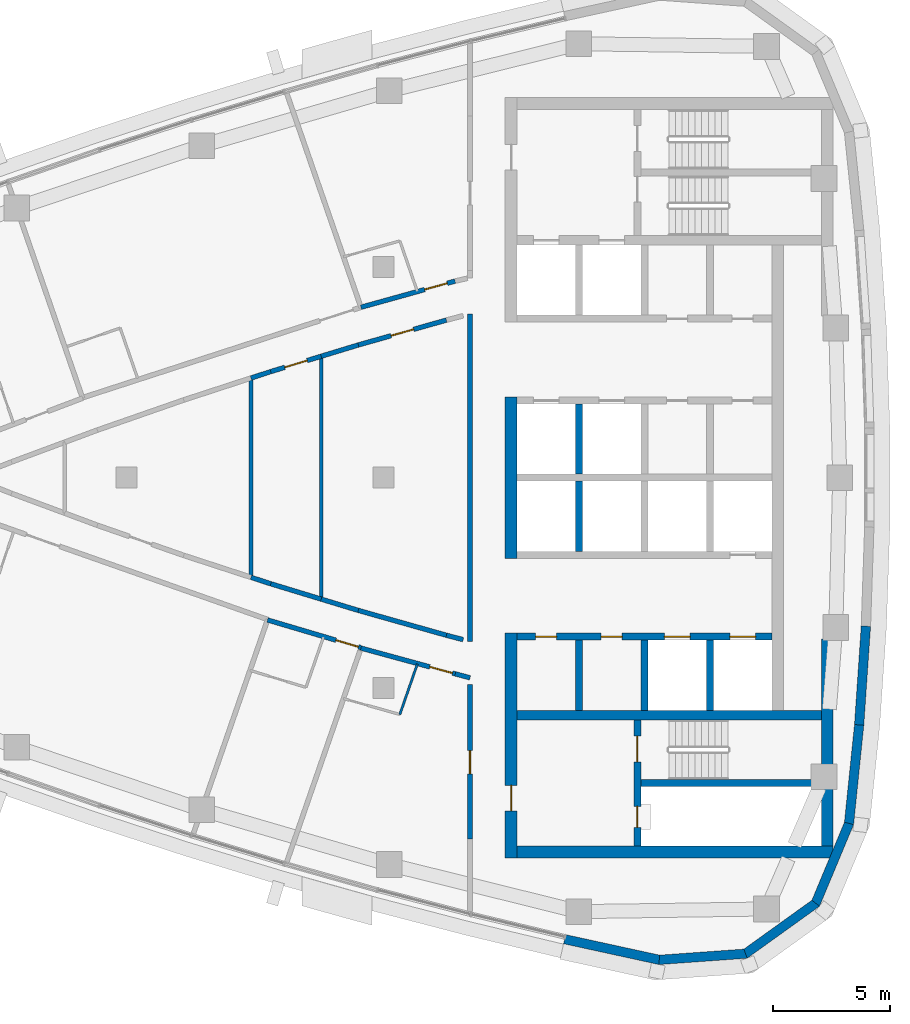
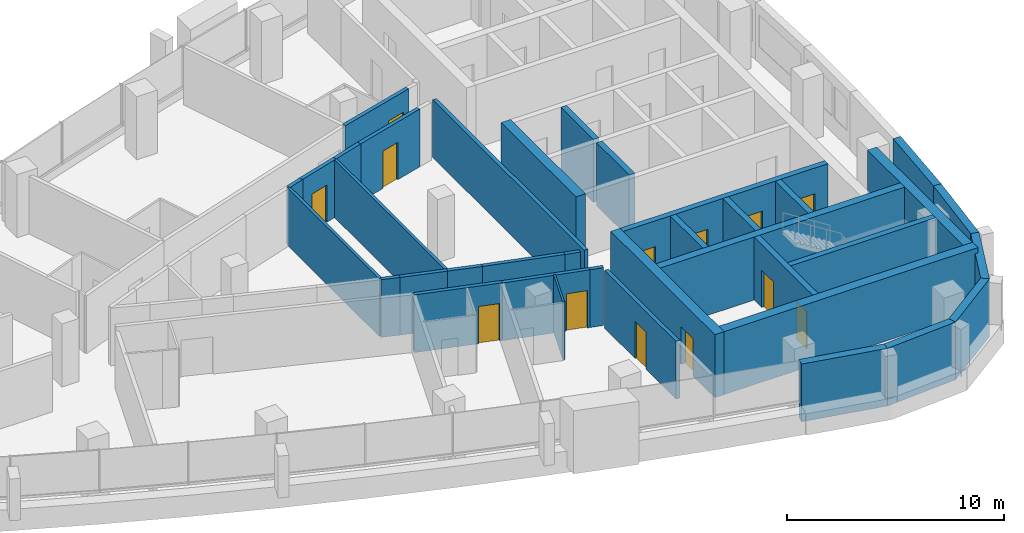
# One storey, part 8 of 14: 37 walls, 13 doors, 13 openings.
"""IFC4 building model written with IfcOpenShell, lengths in metres."""

from ifc_helpers import new_model, si_unit, direction, frame, frame_2d, origin, place, context, subcontext, project, spatial, polyline, rectangle, outline, extrude, material, layer, layer_set, type_object, element, fill, save


model = new_model("IFC4")

# Units and contexts
model_context = context("Model", 3, precision=1e-05, world=origin(), true_north=direction((0.0, 1.0)))
body_context = subcontext(model_context, "Body", "Model", "MODEL_VIEW")
ifc_project = project(units=[si_unit("LENGTHUNIT", "METRE"), si_unit("AREAUNIT", "SQUARE_METRE"), si_unit("VOLUMEUNIT", "CUBIC_METRE"), si_unit("PLANEANGLEUNIT", "RADIAN"), si_unit("MASSUNIT", "GRAM", prefix="KILO")], contexts=[model_context])

# Site, building, storey
site_placement = place(None, origin())
site = spatial("IfcSite", under=ifc_project, at=site_placement, CompositionType="ELEMENT")
building_placement = place(site_placement, origin())
building = spatial("IfcBuilding", under=site, at=building_placement, Name="Ostrand Prow Hotel Tower", CompositionType="ELEMENT")
storey_placement = place(building_placement, frame((0.0, 0.0, 271.449951171875)))
storey = spatial("IfcBuildingStorey", under=building, at=storey_placement, Name="L68", CompositionType="ELEMENT", Elevation=271.449951171875)

# Wall
ifc_material_1 = material(Name="Concrete C50/60", Category="concrete")
ifc_layer_1 = layer(ifc_material_1, 0.300048828125)
ifc_layer_set_1 = layer_set([ifc_layer_1], Name="Concrete C50/60")
wall_type_1 = type_object("IfcWallType", Name="Core wall 300 C50/60", PredefinedType="SHEAR", material=ifc_layer_set_1)
wall_1_placement = place(storey_placement, frame((53.35009765625, 0.14990234375, 0.0), z_axis=(0.0, 0.0, 1.0), x_axis=(0.0, 1.0, 0.0)))
element("IfcWall", 1, at=wall_1_placement, inside=storey, type_object=wall_type_1, Name="Core wall PW-R1-NB", PredefinedType="SHEAR", context=body_context, shape_type="SweptSolid", body=[
    extrude(rectangle(XDim=3.0, YDim=0.300048828125, at=frame_2d((1.5, 0.0))), origin(), (0.0, 0.0, 1.0), 3.550048828125),
])

# Wall, openings, doors
wall_2_placement = place(storey_placement, frame((50.699951171875, -6.800048828125, 0.0), z_axis=(0.0, 0.0, 1.0), x_axis=(1.0, 0.0, 0.0)))
wall_2 = element("IfcWall", 2, at=wall_2_placement, inside=storey, type_object=wall_type_1, Name="Core wall PW-L2-S", PredefinedType="SHEAR", context=body_context, shape_type="SweptSolid", body=[
    extrude(rectangle(XDim=10.900146484375, YDim=0.300048828125, at=frame_2d((5.4501953125, 0.0))), origin(), (0.0, 0.0, 1.0), 3.550048828125),
])
opening_1_placement = place(wall_2_placement, frame((6.300048828125, 0.0, 0.0)))
opening_1 = element("IfcOpeningElement", 3, at=opening_1_placement, cuts=wall_2, Name="Opening LD", PredefinedType="OPENING", context=body_context, shape_type="SweptSolid", body=[
    extrude(rectangle(XDim=1.10009765625, YDim=2.10009765625, at=frame_2d((0.550048828125, 1.050048828125))), frame((0.0, 0.159912109375, 0.0), z_axis=(0.0, -1.0, 0.0), x_axis=(1.0, 0.0, 0.0)), (0.0, 0.0, 1.0), 0.320068359375),
])
opening_2_placement = place(wall_2_placement, frame((9.10009765625, 0.0, 0.0)))
opening_2 = element("IfcOpeningElement", 4, at=opening_2_placement, cuts=wall_2, Name="Opening LD", PredefinedType="OPENING", context=body_context, shape_type="SweptSolid", body=[
    extrude(rectangle(XDim=1.10009765625, YDim=2.10009765625, at=frame_2d((0.550048828125, 1.050048828125))), frame((0.0, 0.159912109375, 0.0), z_axis=(0.0, -1.0, 0.0), x_axis=(1.0, 0.0, 0.0)), (0.0, 0.0, 1.0), 0.320068359375),
])
opening_3_placement = place(wall_2_placement, frame((0.800048828125, 0.0, 0.0)))
opening_3 = element("IfcOpeningElement", 5, at=opening_3_placement, cuts=wall_2, Name="Opening FD2", PredefinedType="OPENING", context=body_context, shape_type="SweptSolid", body=[
    extrude(rectangle(XDim=0.89990234375, YDim=2.10009765625, at=frame_2d((0.449951171875, 1.050048828125))), frame((0.0, 0.159912109375, 0.0), z_axis=(0.0, -1.0, 0.0), x_axis=(1.0, 0.0, 0.0)), (0.0, 0.0, 1.0), 0.320068359375),
])
opening_4_placement = place(wall_2_placement, frame((3.60009765625, 0.0, 0.0)))
opening_4 = element("IfcOpeningElement", 6, at=opening_4_placement, cuts=wall_2, Name="Opening FD2", PredefinedType="OPENING", context=body_context, shape_type="SweptSolid", body=[
    extrude(rectangle(XDim=0.89990234375, YDim=2.10009765625, at=frame_2d((0.449951171875, 1.050048828125))), frame((0.0, 0.159912109375, 0.0), z_axis=(0.0, -1.0, 0.0), x_axis=(1.0, 0.0, 0.0)), (0.0, 0.0, 1.0), 0.320068359375),
])
ifc_material_2 = material(Name="Steel fire door", Category="steel")
door_type_1 = type_object("IfcDoorType", Name="Fire door 900 EI120", OperationType="SINGLE_SWING_LEFT", PredefinedType="DOOR", material=ifc_material_2)
door_1_placement = place(opening_3_placement, origin())
door_1 = element("IfcDoor", 7, at=door_1_placement, inside=storey, type_object=door_type_1, Name="DOOR", OperationType="SINGLE_SWING_LEFT", OverallHeight=2.10009765625, OverallWidth=0.89990234375, PredefinedType="DOOR", context=body_context, shape_type="SweptSolid", body=[
    extrude(rectangle(XDim=0.89990234375, YDim=2.10009765625, at=frame_2d((0.449951171875, 1.050048828125))), frame((0.0, 0.02490234375, 0.0), z_axis=(0.0, -1.0, 0.0), x_axis=(1.0, 0.0, 0.0)), (0.0, 0.0, 1.0), 0.050048828125),
])
fill(opening_3, door_1)
door_2_placement = place(opening_4_placement, origin())
door_2 = element("IfcDoor", 8, at=door_2_placement, inside=storey, type_object=door_type_1, Name="DOOR", OperationType="SINGLE_SWING_LEFT", OverallHeight=2.10009765625, OverallWidth=0.89990234375, PredefinedType="DOOR", context=body_context, shape_type="SweptSolid", body=[
    extrude(rectangle(XDim=0.89990234375, YDim=2.10009765625, at=frame_2d((0.449951171875, 1.050048828125))), frame((0.0, 0.02490234375, 0.0), z_axis=(0.0, -1.0, 0.0), x_axis=(1.0, 0.0, 0.0)), (0.0, 0.0, 1.0), 0.050048828125),
])
fill(opening_4, door_2)
ifc_material_3 = material(Name="Stainless steel door", Category="steel")
door_type_2 = type_object("IfcDoorType", Name="Lift landing door 1100", OperationType="DOUBLE_DOOR_SLIDING", PredefinedType="DOOR", material=ifc_material_3)
door_3_placement = place(opening_1_placement, origin())
door_3 = element("IfcDoor", 9, at=door_3_placement, inside=storey, type_object=door_type_2, Name="LIFT LANDING DOOR", OperationType="DOUBLE_DOOR_SLIDING", OverallHeight=2.10009765625, OverallWidth=1.10009765625, PredefinedType="DOOR", context=body_context, shape_type="SweptSolid", body=[
    extrude(rectangle(XDim=1.10009765625, YDim=2.10009765625, at=frame_2d((0.550048828125, 1.050048828125))), frame((0.0, 0.02490234375, 0.0), z_axis=(0.0, -1.0, 0.0), x_axis=(1.0, 0.0, 0.0)), (0.0, 0.0, 1.0), 0.050048828125),
])
fill(opening_1, door_3)
door_4_placement = place(opening_2_placement, origin())
door_4 = element("IfcDoor", 10, at=door_4_placement, inside=storey, type_object=door_type_2, Name="LIFT LANDING DOOR", OperationType="DOUBLE_DOOR_SLIDING", OverallHeight=2.10009765625, OverallWidth=1.10009765625, PredefinedType="DOOR", context=body_context, shape_type="SweptSolid", body=[
    extrude(rectangle(XDim=1.10009765625, YDim=2.10009765625, at=frame_2d((0.550048828125, 1.050048828125))), frame((0.0, 0.02490234375, 0.0), z_axis=(0.0, -1.0, 0.0), x_axis=(1.0, 0.0, 0.0)), (0.0, 0.0, 1.0), 0.050048828125),
])
fill(opening_2, door_4)

# Walls
for number, where, z_axis, x_axis, name in (
    (11, (53.35009765625, -3.14990234375, 0.0), (0.0, 0.0, 1.0), (0.0, 1.0, 0.0), "Core wall PW-R1-SB"),
    (12, (53.35009765625, -9.949951171875, 0.0), (0.0, 0.0, 1.0), (0.0, 1.0, 0.0), "Core wall PW-R1-SA"),
    (13, (56.14990234375, -9.949951171875, 0.0), (0.0, 0.0, 1.0), (0.0, 1.0, 0.0), "Core wall PW-R2-SA"),
    (14, (58.949951171875, -9.949951171875, 0.0), (0.0, 0.0, 1.0), (0.0, 1.0, 0.0), "Core wall PW-R3-SA"),
):
    element("IfcWall", number, at=place(storey_placement, frame(where, z_axis=z_axis, x_axis=x_axis)), inside=storey, type_object=wall_type_1, Name=name, PredefinedType="SHEAR", context=body_context, shape_type="SweptSolid", body=[
        extrude(rectangle(XDim=3.0, YDim=0.300048828125, at=frame_2d((1.5, 0.0))), origin(), (0.0, 0.0, 1.0), 3.550048828125),
    ])

# Wall, openings, doors
wall_3_placement = place(storey_placement, frame((55.85009765625, -15.75, 0.0), z_axis=(0.0, 0.0, 1.0), x_axis=(0.0, 1.0, 0.0)))
wall_3 = element("IfcWall", 15, at=wall_3_placement, inside=storey, type_object=wall_type_1, Name="Core wall PW-VS", PredefinedType="SHEAR", context=body_context, shape_type="SweptSolid", body=[
    extrude(rectangle(XDim=5.39990234375, YDim=0.300048828125, at=frame_2d((2.699951171875, 0.0))), origin(), (0.0, 0.0, 1.0), 3.550048828125),
])
opening_5_placement = place(wall_3_placement, frame((3.60009765625, 0.0, 0.0)))
opening_5 = element("IfcOpeningElement", 16, at=opening_5_placement, cuts=wall_3, Name="Opening FD1", PredefinedType="OPENING", context=body_context, shape_type="SweptSolid", body=[
    extrude(rectangle(XDim=1.10009765625, YDim=2.10009765625, at=frame_2d((0.550048828125, 1.050048828125))), frame((0.0, 0.159912109375, 0.0), z_axis=(0.0, -1.0, 0.0), x_axis=(1.0, 0.0, 0.0)), (0.0, 0.0, 1.0), 0.320068359375),
])
opening_6_placement = place(wall_3_placement, frame((0.800048828125, 0.0, 0.0)))
opening_6 = element("IfcOpeningElement", 17, at=opening_6_placement, cuts=wall_3, Name="Opening FD2", PredefinedType="OPENING", context=body_context, shape_type="SweptSolid", body=[
    extrude(rectangle(XDim=0.89990234375, YDim=2.10009765625, at=frame_2d((0.449951171875, 1.050048828125))), frame((0.0, 0.159912109375, 0.0), z_axis=(0.0, -1.0, 0.0), x_axis=(1.0, 0.0, 0.0)), (0.0, 0.0, 1.0), 0.320068359375),
])
ifc_material_4 = material(Name="Steel fire door", Category="steel")
door_type_3 = type_object("IfcDoorType", Name="Fire door 1100 EI120", OperationType="SINGLE_SWING_RIGHT", PredefinedType="DOOR", material=ifc_material_4)
door_5_placement = place(opening_5_placement, origin())
door_5 = element("IfcDoor", 18, at=door_5_placement, inside=storey, type_object=door_type_3, Name="FIRE DOOR", OperationType="SINGLE_SWING_RIGHT", OverallHeight=2.10009765625, OverallWidth=1.10009765625, PredefinedType="DOOR", context=body_context, shape_type="SweptSolid", body=[
    extrude(rectangle(XDim=1.10009765625, YDim=2.10009765625, at=frame_2d((0.550048828125, 1.050048828125))), frame((0.0, 0.02490234375, 0.0), z_axis=(0.0, -1.0, 0.0), x_axis=(1.0, 0.0, 0.0)), (0.0, 0.0, 1.0), 0.050048828125),
])
fill(opening_5, door_5)
door_6_placement = place(opening_6_placement, origin())
door_6 = element("IfcDoor", 19, at=door_6_placement, inside=storey, type_object=door_type_1, Name="FIRE DOOR", OperationType="SINGLE_SWING_LEFT", OverallHeight=2.10009765625, OverallWidth=0.89990234375, PredefinedType="DOOR", context=body_context, shape_type="SweptSolid", body=[
    extrude(rectangle(XDim=0.89990234375, YDim=2.10009765625, at=frame_2d((0.449951171875, 1.050048828125))), frame((0.0, 0.02490234375, 0.0), z_axis=(0.0, -1.0, 0.0), x_axis=(1.0, 0.0, 0.0)), (0.0, 0.0, 1.0), 0.050048828125),
])
fill(opening_6, door_6)

# Walls
wall_4_placement = place(storey_placement, frame((56.0, -13.050048828125, 0.0), z_axis=(0.0, 0.0, 1.0), x_axis=(1.0, 0.0, 0.0)))
element("IfcWall", 20, at=wall_4_placement, inside=storey, type_object=wall_type_1, Name="Core wall PW-ST2R", PredefinedType="SHEAR", context=body_context, shape_type="SweptSolid", body=[
    extrude(rectangle(XDim=7.719970703125, YDim=0.300048828125, at=frame_2d((3.85986328125, 0.0))), origin(), (0.0, 0.0, 1.0), 3.550048828125),
])
ifc_material_5 = material(Name="Concrete C50/60", Category="concrete")
ifc_layer_2 = layer(ifc_material_5, 0.39990234375)
ifc_layer_set_2 = layer_set([ifc_layer_2], Name="Concrete C50/60")
wall_type_2 = type_object("IfcWallType", Name="Core wall 400 C50/60", PredefinedType="SHEAR", material=ifc_layer_set_2)
wall_5_placement = place(storey_placement, frame((50.699951171875, -10.14990234375, 0.0), z_axis=(0.0, 0.0, 1.0), x_axis=(1.0, 0.0, 0.0)))
element("IfcWall", 21, at=wall_5_placement, inside=storey, type_object=wall_type_2, Name="Core wall PW-BS", PredefinedType="SHEAR", context=body_context, shape_type="SweptSolid", body=[
    extrude(rectangle(XDim=13.02001953125, YDim=0.39990234375, at=frame_2d((6.510009765625, 0.0))), origin(), (0.0, 0.0, 1.0), 3.550048828125),
])
ifc_material_6 = material(Name="Concrete C50/60", Category="concrete")
ifc_layer_3 = layer(ifc_material_6, 0.5)
ifc_layer_set_3 = layer_set([ifc_layer_3], Name="Concrete C50/60")
wall_type_3 = type_object("IfcWallType", Name="Core wall 500 C50/60", PredefinedType="SHEAR", material=ifc_layer_set_3)
wall_6_placement = place(storey_placement, frame((50.449951171875, -3.449951171875, 0.0), z_axis=(0.0, 0.0, 1.0), x_axis=(0.0, 1.0, 0.0)))
element("IfcWall", 22, at=wall_6_placement, inside=storey, type_object=wall_type_3, Name="Core wall CW-W-C", PredefinedType="SHEAR", context=body_context, shape_type="SweptSolid", body=[
    extrude(rectangle(XDim=6.89990234375, YDim=0.5, at=frame_2d((3.449951171875, 0.0))), origin(), (0.0, 0.0, 1.0), 3.550048828125),
])

# Wall, opening, door
wall_7_placement = place(storey_placement, frame((50.449951171875, -16.25, 0.0), z_axis=(0.0, 0.0, 1.0), x_axis=(0.0, 1.0, 0.0)))
wall_7 = element("IfcWall", 23, at=wall_7_placement, inside=storey, type_object=wall_type_3, Name="Core wall CW-W-S", PredefinedType="SHEAR", context=body_context, shape_type="SweptSolid", body=[
    extrude(rectangle(XDim=9.60009765625, YDim=0.5, at=frame_2d((4.800048828125, 0.0))), origin(), (0.0, 0.0, 1.0), 3.550048828125),
])
opening_7_placement = place(wall_7_placement, frame((2.0, 0.0, 0.0)))
opening_7 = element("IfcOpeningElement", 24, at=opening_7_placement, cuts=wall_7, Name="Opening FD1", PredefinedType="OPENING", context=body_context, shape_type="SweptSolid", body=[
    extrude(rectangle(XDim=1.10009765625, YDim=2.10009765625, at=frame_2d((0.550048828125, 1.050048828125))), frame((0.0, 0.260009765625, 0.0), z_axis=(0.0, -1.0, 0.0), x_axis=(1.0, 0.0, 0.0)), (0.0, 0.0, 1.0), 0.52001953125),
])
door_7_placement = place(opening_7_placement, origin())
door_7 = element("IfcDoor", 25, at=door_7_placement, inside=storey, type_object=door_type_3, Name="FIRE DOOR", OperationType="SINGLE_SWING_RIGHT", OverallHeight=2.10009765625, OverallWidth=1.10009765625, PredefinedType="DOOR", context=body_context, shape_type="SweptSolid", body=[
    extrude(rectangle(XDim=1.10009765625, YDim=2.10009765625, at=frame_2d((0.550048828125, 1.050048828125))), frame((0.0, 0.02490234375, 0.0), z_axis=(0.0, -1.0, 0.0), x_axis=(1.0, 0.0, 0.0)), (0.0, 0.0, 1.0), 0.050048828125),
])
fill(opening_7, door_7)

# Walls
wall_8_placement = place(storey_placement, frame((50.699951171875, -16.0, 0.0), z_axis=(0.0, 0.0, 1.0), x_axis=(1.0, 0.0, 0.0)))
element("IfcWall", 26, at=wall_8_placement, inside=storey, type_object=wall_type_3, Name="Core wall CW-S", PredefinedType="SHEAR", context=body_context, shape_type="SweptSolid", body=[
    extrude(rectangle(XDim=13.52001953125, YDim=0.5, at=frame_2d((6.760009765625, 0.0))), origin(), (0.0, 0.0, 1.0), 3.550048828125),
])
wall_9_placement = place(storey_placement, frame((63.969970703125, -15.75, 0.0), z_axis=(0.0, 0.0, 1.0), x_axis=(0.0, 1.0, 0.0)))
element("IfcWall", 27, at=wall_9_placement, inside=storey, type_object=wall_type_3, Name="Core wall CW-E-S", PredefinedType="SHEAR", context=body_context, shape_type="SweptSolid", body=[
    extrude(rectangle(XDim=8.8466796875, YDim=0.5, at=frame_2d((4.42333984375, 0.0))), origin(), (0.0, 0.0, 1.0), 3.550048828125),
])
ifc_material_7 = material(Name="Plasterboard partition")
ifc_layer_4 = layer(ifc_material_7, 0.10009765625)
ifc_layer_set_4 = layer_set([ifc_layer_4], Name="Plasterboard partition")
wall_type_4 = type_object("IfcWallType", Name="Partition 100 bathroom wall", PredefinedType="PARTITIONING", material=ifc_layer_set_4)
wall_10_placement = place(storey_placement, frame((46.4404296875, -7.968994140625, 0.0), z_axis=(0.0, 0.0, 1.0), x_axis=(-0.327764902685, -0.944759317799, 0.0)))
element("IfcWall", 28, at=wall_10_placement, inside=storey, type_object=wall_type_4, Name="BATHROOM WALL", PredefinedType="PARTITIONING", context=body_context, shape_type="SweptSolid", body=[
    extrude(rectangle(XDim=2.28076171875, YDim=0.10009765625, at=frame_2d((1.140380859375, 0.0))), origin(), (0.0, 0.0, 1.0), 3.25),
])
ifc_material_8 = material(Name="Plasterboard partition")
ifc_layer_5 = layer(ifc_material_8, 0.14990234375)
ifc_layer_set_5 = layer_set([ifc_layer_5], Name="Plasterboard partition")
wall_type_5 = type_object("IfcWallType", Name="Partition 150 room partition", PredefinedType="PARTITIONING", material=ifc_layer_set_5)
wall_11_placement = place(storey_placement, frame((39.32958984375, -4.260498046875, 0.0), z_axis=(0.0, 0.0, 1.0), x_axis=(0.0, 1.0, 0.0)))
element("IfcWall", 29, at=wall_11_placement, inside=storey, type_object=wall_type_5, Name="ROOM PARTITION", PredefinedType="PARTITIONING", context=body_context, shape_type="SweptSolid", body=[
    extrude(rectangle(XDim=8.52099609375, YDim=0.14990234375, at=frame_2d((4.260498046875, 0.0))), origin(), (0.0, 0.0, 1.0), 3.25),
])
wall_12_placement = place(storey_placement, frame((42.32958984375, -5.19140625, 0.0), z_axis=(0.0, 0.0, 1.0), x_axis=(0.0, 1.0, 0.0)))
element("IfcWall", 30, at=wall_12_placement, inside=storey, type_object=wall_type_5, Name="ROOM PARTITION", PredefinedType="PARTITIONING", context=body_context, shape_type="SweptSolid", body=[
    extrude(rectangle(XDim=10.3828125, YDim=0.14990234375, at=frame_2d((5.19140625, 0.0))), origin(), (0.0, 0.0, 1.0), 3.25),
])

# Wall, opening, door
ifc_material_9 = material(Name="Plasterboard partition")
ifc_layer_6 = layer(ifc_material_9, 0.199951171875)
ifc_layer_set_6 = layer_set([ifc_layer_6], Name="Plasterboard partition")
wall_type_6 = type_object("IfcWallType", Name="Partition 200 corridor wall", PredefinedType="PARTITIONING", material=ifc_layer_set_6)
wall_13_placement = place(storey_placement, frame((48.055908203125, 8.4052734375, 0.0), z_axis=(0.0, 0.0, 1.0), x_axis=(-0.963429942227, -0.267960344866, 0.0)))
wall_13 = element("IfcWall", 31, at=wall_13_placement, inside=storey, type_object=wall_type_6, Name="CORRIDOR WALL", PredefinedType="PARTITIONING", context=body_context, shape_type="SweptSolid", body=[
    extrude(rectangle(XDim=4.177490234375, YDim=0.199951171875, at=frame_2d((2.0888671875, 0.0))), origin(), (0.0, 0.0, 1.0), 3.25),
])
opening_8_placement = place(wall_13_placement, frame((0.35009765625, 0.0, 0.0)))
opening_8 = element("IfcOpeningElement", 32, at=opening_8_placement, cuts=wall_13, Name="Opening D1R", PredefinedType="OPENING", context=body_context, shape_type="SweptSolid", body=[
    extrude(rectangle(XDim=1.0, YDim=2.10009765625, at=frame_2d((0.5, 1.050048828125))), frame((0.0, 0.10986328125, 0.0), z_axis=(0.0, -1.0, 0.0), x_axis=(1.0, 0.0, 0.0)), (0.0, 0.0, 1.0), 0.219970703125),
])
ifc_material_10 = material(Name="Timber door leaf", Category="wood")
door_type_4 = type_object("IfcDoorType", Name="Guest room door 1000 right", OperationType="SINGLE_SWING_RIGHT", PredefinedType="DOOR", material=ifc_material_10)
door_8_placement = place(opening_8_placement, origin())
door_8 = element("IfcDoor", 33, at=door_8_placement, inside=storey, type_object=door_type_4, Name="DOOR", OperationType="SINGLE_SWING_RIGHT", OverallHeight=2.10009765625, OverallWidth=1.0, PredefinedType="DOOR", context=body_context, shape_type="SweptSolid", body=[
    extrude(rectangle(XDim=1.0, YDim=2.10009765625, at=frame_2d((0.5, 1.050048828125))), frame((0.0, 0.02490234375, 0.0), z_axis=(0.0, -1.0, 0.0), x_axis=(1.0, 0.0, 0.0)), (0.0, 0.0, 1.0), 0.050048828125),
])
fill(opening_8, door_8)

wall_14_placement = place(storey_placement, frame((40.035400390625, -6.08251953125, 0.0), z_axis=(0.0, 0.0, 1.0), x_axis=(0.958901312153, -0.283739799027, 0.0)))
wall_14 = element("IfcWall", 34, at=wall_14_placement, inside=storey, type_object=wall_type_6, Name="CORRIDOR WALL", PredefinedType="PARTITIONING", context=body_context, shape_type="SweptSolid", body=[
    extrude(rectangle(XDim=4.174072265625, YDim=0.199951171875, at=frame_2d((2.0869140625, 0.0))), origin(), (0.0, 0.0, 1.0), 3.25),
])
opening_9_placement = place(wall_14_placement, frame((3.050048828125, 0.0, 0.0)))
opening_9 = element("IfcOpeningElement", 35, at=opening_9_placement, cuts=wall_14, Name="Opening D1R", PredefinedType="OPENING", context=body_context, shape_type="SweptSolid", body=[
    extrude(rectangle(XDim=1.0, YDim=2.10009765625, at=frame_2d((0.5, 1.050048828125))), frame((0.0, 0.10986328125, 0.0), z_axis=(0.0, -1.0, 0.0), x_axis=(1.0, 0.0, 0.0)), (0.0, 0.0, 1.0), 0.219970703125),
])
door_9_placement = place(opening_9_placement, origin())
door_9 = element("IfcDoor", 36, at=door_9_placement, inside=storey, type_object=door_type_4, Name="DOOR", OperationType="SINGLE_SWING_RIGHT", OverallHeight=2.10009765625, OverallWidth=1.0, PredefinedType="DOOR", context=body_context, shape_type="SweptSolid", body=[
    extrude(rectangle(XDim=1.0, YDim=2.10009765625, at=frame_2d((0.5, 1.050048828125))), frame((0.0, 0.02490234375, 0.0), z_axis=(0.0, -1.0, 0.0), x_axis=(1.0, 0.0, 0.0)), (0.0, 0.0, 1.0), 0.050048828125),
])
fill(opening_9, door_9)

wall_15_placement = place(storey_placement, frame((44.03125, -7.285888671875, 0.0), z_axis=(0.0, 0.0, 1.0), x_axis=(0.964708521199, -0.263320088726, 0.0)))
wall_15 = element("IfcWall", 37, at=wall_15_placement, inside=storey, type_object=wall_type_6, Name="CORRIDOR WALL", PredefinedType="PARTITIONING", context=body_context, shape_type="SweptSolid", body=[
    extrude(rectangle(XDim=4.1787109375, YDim=0.199951171875, at=frame_2d((2.08935546875, 0.0))), origin(), (0.0, 0.0, 1.0), 3.25),
])
opening_10_placement = place(wall_15_placement, frame((3.050048828125, 0.0, 0.0)))
opening_10 = element("IfcOpeningElement", 38, at=opening_10_placement, cuts=wall_15, Name="Opening D1R", PredefinedType="OPENING", context=body_context, shape_type="SweptSolid", body=[
    extrude(rectangle(XDim=1.0, YDim=2.10009765625, at=frame_2d((0.5, 1.050048828125))), frame((0.0, 0.10986328125, 0.0), z_axis=(0.0, -1.0, 0.0), x_axis=(1.0, 0.0, 0.0)), (0.0, 0.0, 1.0), 0.219970703125),
])
door_10_placement = place(opening_10_placement, origin())
door_10 = element("IfcDoor", 39, at=door_10_placement, inside=storey, type_object=door_type_4, Name="DOOR", OperationType="SINGLE_SWING_RIGHT", OverallHeight=2.10009765625, OverallWidth=1.0, PredefinedType="DOOR", context=body_context, shape_type="SweptSolid", body=[
    extrude(rectangle(XDim=1.0, YDim=2.10009765625, at=frame_2d((0.5, 1.050048828125))), frame((0.0, 0.02490234375, 0.0), z_axis=(0.0, -1.0, 0.0), x_axis=(1.0, 0.0, 0.0)), (0.0, 0.0, 1.0), 0.050048828125),
])
fill(opening_10, door_10)

wall_16_placement = place(storey_placement, frame((40.1748046875, 4.5361328125, 0.0), z_axis=(0.0, 0.0, 1.0), x_axis=(0.956739496331, 0.290945933396, 0.0)))
wall_16 = element("IfcWall", 40, at=wall_16_placement, inside=storey, type_object=wall_type_6, Name="CORRIDOR WALL", PredefinedType="PARTITIONING", context=body_context, shape_type="SweptSolid", body=[
    extrude(rectangle(XDim=2.252197265625, YDim=0.199951171875, at=frame_2d((1.1259765625, 0.0))), origin(), (0.0, 0.0, 1.0), 3.25),
])
opening_11_placement = place(wall_16_placement, frame((0.626220703125, 0.0, 0.0)))
opening_11 = element("IfcOpeningElement", 41, at=opening_11_placement, cuts=wall_16, Name="Opening D1R", PredefinedType="OPENING", context=body_context, shape_type="SweptSolid", body=[
    extrude(rectangle(XDim=1.0, YDim=2.10009765625, at=frame_2d((0.5, 1.050048828125))), frame((0.0, 0.10986328125, 0.0), z_axis=(0.0, -1.0, 0.0), x_axis=(1.0, 0.0, 0.0)), (0.0, 0.0, 1.0), 0.219970703125),
])
door_11_placement = place(opening_11_placement, origin())
door_11 = element("IfcDoor", 42, at=door_11_placement, inside=storey, type_object=door_type_4, Name="DOOR", OperationType="SINGLE_SWING_RIGHT", OverallHeight=2.10009765625, OverallWidth=1.0, PredefinedType="DOOR", context=body_context, shape_type="SweptSolid", body=[
    extrude(rectangle(XDim=1.0, YDim=2.10009765625, at=frame_2d((0.5, 1.050048828125))), frame((0.0, 0.02490234375, 0.0), z_axis=(0.0, -1.0, 0.0), x_axis=(1.0, 0.0, 0.0)), (0.0, 0.0, 1.0), 0.050048828125),
])
fill(opening_11, door_11)

# Walls
wall_17_placement = place(storey_placement, frame((42.32958984375, -5.19140625, 0.0), z_axis=(0.0, 0.0, 1.0), x_axis=(-0.956739496331, 0.290945933396, 0.0)))
element("IfcWall", 43, at=wall_17_placement, inside=storey, type_object=wall_type_6, Name="CORRIDOR WALL", PredefinedType="PARTITIONING", context=body_context, shape_type="SweptSolid", body=[
    extrude(rectangle(XDim=2.252197265625, YDim=0.199951171875, at=frame_2d((1.1259765625, 0.0))), origin(), (0.0, 0.0, 1.0), 3.25),
])
for number, where, z_axis, x_axis, name in (
    (44, (40.1748046875, -4.5361328125, 0.0), (0.0, 0.0, 1.0), (-0.950722800792, 0.310042184314, 0.0), "CORRIDOR WALL"),
    (45, (39.32958984375, 4.260498046875, 0.0), (0.0, 0.0, 1.0), (0.950722800792, 0.310042184314, 0.0), "CORRIDOR WALL"),
):
    element("IfcWall", number, at=place(storey_placement, frame(where, z_axis=z_axis, x_axis=x_axis)), inside=storey, type_object=wall_type_6, Name=name, PredefinedType="PARTITIONING", context=body_context, shape_type="SweptSolid", body=[
        extrude(rectangle(XDim=0.888916015625, YDim=0.199951171875, at=frame_2d((0.4443359375, 0.0))), origin(), (0.0, 0.0, 1.0), 3.25),
    ])

# Wall, opening, door
wall_18_placement = place(storey_placement, frame((43.91845703125, 5.6748046875, 0.0), z_axis=(0.0, 0.0, 1.0), x_axis=(0.962411212211, 0.271596499628, 0.0)))
wall_18 = element("IfcWall", 46, at=wall_18_placement, inside=storey, type_object=wall_type_6, Name="CORRIDOR WALL", PredefinedType="PARTITIONING", context=body_context, shape_type="SweptSolid", body=[
    extrude(rectangle(XDim=3.912841796875, YDim=0.199951171875, at=frame_2d((1.95654296875, 0.0))), origin(), (0.0, 0.0, 1.0), 3.25),
])
opening_12_placement = place(wall_18_placement, frame((1.45654296875, 0.0, 0.0)))
opening_12 = element("IfcOpeningElement", 47, at=opening_12_placement, cuts=wall_18, Name="Opening D1", PredefinedType="OPENING", context=body_context, shape_type="SweptSolid", body=[
    extrude(rectangle(XDim=1.0, YDim=2.10009765625, at=frame_2d((0.5, 1.050048828125))), frame((0.0, 0.10986328125, 0.0), z_axis=(0.0, -1.0, 0.0), x_axis=(1.0, 0.0, 0.0)), (0.0, 0.0, 1.0), 0.219970703125),
])
ifc_material_11 = material(Name="Timber door leaf", Category="wood")
door_type_5 = type_object("IfcDoorType", Name="Guest room door 1000", OperationType="SINGLE_SWING_LEFT", PredefinedType="DOOR", material=ifc_material_11)
door_12_placement = place(opening_12_placement, origin())
door_12 = element("IfcDoor", 48, at=door_12_placement, inside=storey, type_object=door_type_5, Name="DOOR", OperationType="SINGLE_SWING_LEFT", OverallHeight=2.10009765625, OverallWidth=1.0, PredefinedType="DOOR", context=body_context, shape_type="SweptSolid", body=[
    extrude(rectangle(XDim=1.0, YDim=2.10009765625, at=frame_2d((0.5, 1.050048828125))), frame((0.0, 0.02490234375, 0.0), z_axis=(0.0, -1.0, 0.0), x_axis=(1.0, 0.0, 0.0)), (0.0, 0.0, 1.0), 0.050048828125),
])
fill(opening_12, door_12)

# Walls
wall_19_placement = place(storey_placement, frame((47.684326171875, -6.737548828125, 0.0), z_axis=(0.0, 0.0, 1.0), x_axis=(-0.962411212211, 0.271596499628, 0.0)))
element("IfcWall", 49, at=wall_19_placement, inside=storey, type_object=wall_type_6, Name="CORRIDOR WALL", PredefinedType="PARTITIONING", context=body_context, shape_type="SweptSolid", body=[
    extrude(rectangle(XDim=3.912841796875, YDim=0.199951171875, at=frame_2d((1.95654296875, 0.0))), origin(), (0.0, 0.0, 1.0), 3.25),
])
for number, where, z_axis, x_axis, name in (
    (50, (43.91845703125, -5.6748046875, 0.0), (0.0, 0.0, 1.0), (-0.956702361065, 0.291068020115, 0.0), "CORRIDOR WALL"),
    (51, (42.32958984375, 5.19140625, 0.0), (0.0, 0.0, 1.0), (0.956702361065, 0.291068020115, 0.0), "CORRIDOR WALL"),
):
    element("IfcWall", number, at=place(storey_placement, frame(where, z_axis=z_axis, x_axis=x_axis)), inside=storey, type_object=wall_type_6, Name=name, PredefinedType="PARTITIONING", context=body_context, shape_type="SweptSolid", body=[
        extrude(rectangle(XDim=1.660888671875, YDim=0.199951171875, at=frame_2d((0.83056640625, 0.0))), origin(), (0.0, 0.0, 1.0), 3.25),
    ])
wall_20_placement = place(storey_placement, frame((48.39990234375, -6.92431640625, 0.0), z_axis=(0.0, 0.0, 1.0), x_axis=(-0.967585713416, 0.252542842294, 0.0)))
element("IfcWall", 52, at=wall_20_placement, inside=storey, type_object=wall_type_6, Name="CORRIDOR WALL", PredefinedType="PARTITIONING", context=body_context, shape_type="SweptSolid", body=[
    extrude(rectangle(XDim=0.739501953125, YDim=0.199951171875, at=frame_2d((0.36962890625, 0.0))), origin(), (0.0, 0.0, 1.0), 3.25),
])

# Wall, opening, door
wall_21_placement = place(storey_placement, frame((48.695068359375, -8.85205078125, 0.0), z_axis=(0.0, 0.0, 1.0), x_axis=(0.0, -1.0, 0.0)))
wall_21 = element("IfcWall", 53, at=wall_21_placement, inside=storey, type_object=wall_type_6, Name="CORRIDOR WALL", PredefinedType="PARTITIONING", context=body_context, shape_type="SweptSolid", body=[
    extrude(rectangle(XDim=6.60302734375, YDim=0.199951171875, at=frame_2d((3.301513671875, 0.0))), origin(), (0.0, 0.0, 1.0), 3.25),
])
opening_13_placement = place(wall_21_placement, frame((2.81591796875, 0.0, 0.0)))
opening_13 = element("IfcOpeningElement", 54, at=opening_13_placement, cuts=wall_21, Name="Opening D1", PredefinedType="OPENING", context=body_context, shape_type="SweptSolid", body=[
    extrude(rectangle(XDim=1.0, YDim=2.10009765625, at=frame_2d((0.5, 1.050048828125))), frame((0.0, 0.10986328125, 0.0), z_axis=(0.0, -1.0, 0.0), x_axis=(1.0, 0.0, 0.0)), (0.0, 0.0, 1.0), 0.219970703125),
])
door_13_placement = place(opening_13_placement, origin())
door_13 = element("IfcDoor", 55, at=door_13_placement, inside=storey, type_object=door_type_5, Name="DOOR", OperationType="SINGLE_SWING_LEFT", OverallHeight=2.10009765625, OverallWidth=1.0, PredefinedType="DOOR", context=body_context, shape_type="SweptSolid", body=[
    extrude(rectangle(XDim=1.0, YDim=2.10009765625, at=frame_2d((0.5, 1.050048828125))), frame((0.0, 0.02490234375, 0.0), z_axis=(0.0, -1.0, 0.0), x_axis=(1.0, 0.0, 0.0)), (0.0, 0.0, 1.0), 0.050048828125),
])
fill(opening_13, door_13)

# Walls
wall_22_placement = place(storey_placement, frame((48.695068359375, 6.995849609375, 0.0), z_axis=(0.0, 0.0, 1.0), x_axis=(0.0, -1.0, 0.0)))
element("IfcWall", 56, at=wall_22_placement, inside=storey, type_object=wall_type_6, Name="CORRIDOR WALL", PredefinedType="PARTITIONING", context=body_context, shape_type="SweptSolid", body=[
    extrude(rectangle(XDim=13.99169921875, YDim=0.199951171875, at=frame_2d((6.995849609375, 0.0))), origin(), (0.0, 0.0, 1.0), 3.25),
])
wall_23_placement = place(storey_placement, frame((48.0625, -8.38623046875, 0.0), z_axis=(0.0, 0.0, 1.0), x_axis=(0.965669715173, -0.259772980114, 0.0)))
element("IfcWall", 57, at=wall_23_placement, inside=storey, type_object=wall_type_6, Name="CORRIDOR WALL", PredefinedType="PARTITIONING", context=body_context, shape_type="SweptSolid", body=[
    extrude(rectangle(XDim=0.655029296875, YDim=0.199951171875, at=frame_2d((0.32763671875, 0.0))), origin(), (0.0, 0.0, 1.0), 3.25),
])
ifc_material_12 = material(Name="Precast concrete C40/50", Category="concrete")
ifc_layer_7 = layer(ifc_material_12, 0.39990234375)
ifc_layer_set_7 = layer_set([ifc_layer_7], Name="Precast concrete C40/50")
wall_type_7 = type_object("IfcWallType", Name="Stone-faced precast wall 400 mm", PredefinedType="NOTDEFINED", material=ifc_layer_set_7)
wall_24_placement = place(storey_placement, frame((52.73828125, -19.73193359375, 0.0), z_axis=(0.0, 0.0, 1.0), x_axis=(0.977020225348, -0.213146614471, 0.0)))
element("IfcWall", 58, at=wall_24_placement, inside=storey, type_object=wall_type_7, Name="Stone-faced wall back 1", PredefinedType="NOTDEFINED", context=body_context, shape_type="SweptSolid", body=[
    extrude(outline(polyline([(0.0, -0.199951171875), (4.170654296875, -0.199951171875), (4.113037109375, 0.199951171875), (0.0, 0.199951171875), (0.0, -0.199951171875)])), origin(), (0.0, 0.0, 1.0), 3.25),
])
wall_25_placement = place(storey_placement, frame((56.784912109375, -20.61474609375, 0.0), z_axis=(0.0, 0.0, 1.0), x_axis=(0.99746272096, 0.071190731806, 0.0)))
element("IfcWall", 59, at=wall_25_placement, inside=storey, type_object=wall_type_7, Name="Stone-faced wall back 2", PredefinedType="NOTDEFINED", context=body_context, shape_type="SweptSolid", body=[
    extrude(outline(polyline([(-0.02880859375, -0.199951171875), (3.75341796875, -0.199951171875), (3.64013671875, 0.199951171875), (0.02880859375, 0.199951171875), (-0.02880859375, -0.199951171875)])), origin(), (0.0, 0.0, 1.0), 3.25),
])
wall_26_placement = place(storey_placement, frame((60.472412109375, -20.3515625, 0.0), z_axis=(0.0, 0.0, 1.0), x_axis=(0.811962548682, 0.583709533533, 0.0)))
element("IfcWall", 60, at=wall_26_placement, inside=storey, type_object=wall_type_7, Name="Stone-faced wall back 3", PredefinedType="NOTDEFINED", context=body_context, shape_type="SweptSolid", body=[
    extrude(outline(polyline([(-0.056640625, -0.199951171875), (3.753173828125, -0.199951171875), (3.639892578125, 0.199951171875), (0.056640625, 0.199951171875), (-0.056640625, -0.199951171875)])), origin(), (0.0, 0.0, 1.0), 3.25),
])
wall_27_placement = place(storey_placement, frame((63.473876953125, -18.19384765625, 0.0), z_axis=(0.0, 0.0, 1.0), x_axis=(0.385285857918, 0.922797273343, 0.0)))
element("IfcWall", 61, at=wall_27_placement, inside=storey, type_object=wall_type_7, Name="Stone-faced wall back 4", PredefinedType="NOTDEFINED", context=body_context, shape_type="SweptSolid", body=[
    extrude(outline(polyline([(-0.056640625, -0.199951171875), (3.726318359375, -0.199951171875), (3.667236328125, 0.199951171875), (0.056640625, 0.199951171875), (-0.056640625, -0.199951171875)])), origin(), (0.0, 0.0, 1.0), 3.25),
])
wall_28_placement = place(storey_placement, frame((64.898193359375, -14.782470703125, 0.0), z_axis=(0.0, 0.0, 1.0), x_axis=(0.102249826987, 0.994758751096, 0.0)))
element("IfcWall", 62, at=wall_28_placement, inside=storey, type_object=wall_type_7, Name="Stone-faced wall back 5", PredefinedType="NOTDEFINED", context=body_context, shape_type="SweptSolid", body=[
    extrude(outline(polyline([(-0.029541015625, -0.199951171875), (4.23681640625, -0.199951171875), (4.22998046875, 0.199951171875), (0.029541015625, 0.199951171875), (-0.029541015625, -0.199951171875)])), origin(), (0.0, 0.0, 1.0), 3.25),
])
wall_29_placement = place(storey_placement, frame((65.3310546875, -10.5712890625, 0.0), z_axis=(0.0, 0.0, 1.0), x_axis=(0.068279584479, 0.997666225921, 0.0)))
element("IfcWall", 63, at=wall_29_placement, inside=storey, type_object=wall_type_7, Name="Stone-faced wall back 6", PredefinedType="NOTDEFINED", context=body_context, shape_type="SweptSolid", body=[
    extrude(outline(polyline([(-0.00341796875, -0.199951171875), (4.23681640625, -0.199951171875), (4.22998046875, 0.199951171875), (0.00341796875, 0.199951171875), (-0.00341796875, -0.199951171875)])), origin(), (0.0, 0.0, 1.0), 3.25),
])

save(model, "model.ifc")
